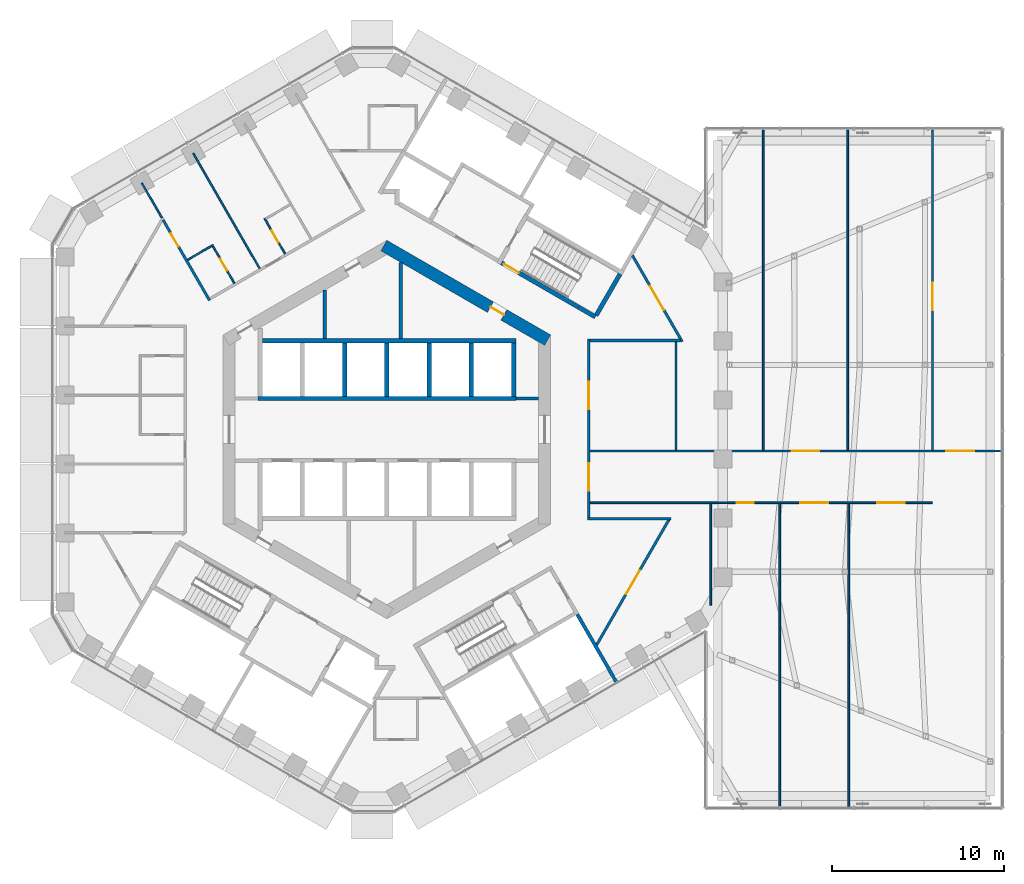
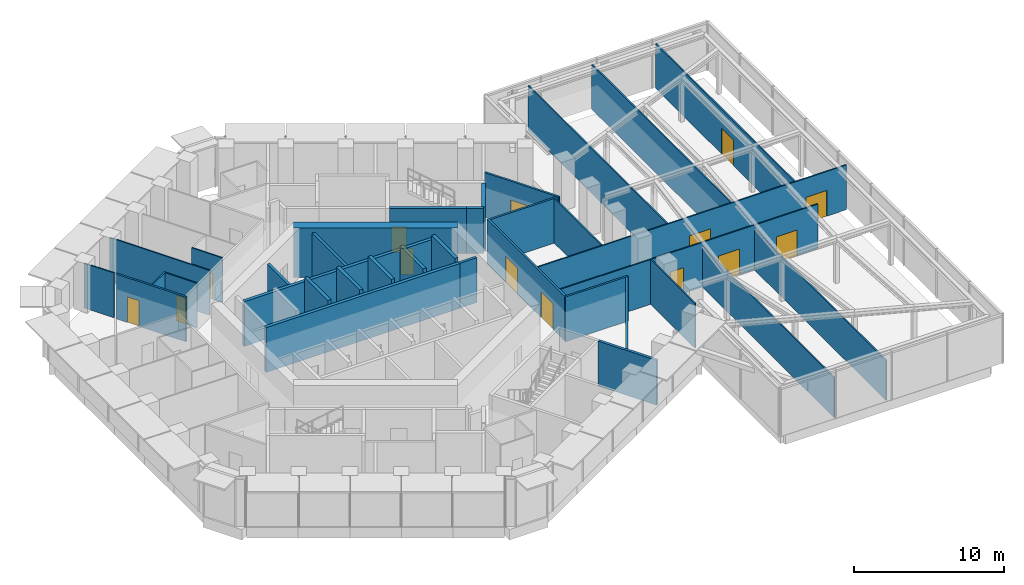
# One storey, part 18 of 24: 35 walls, 15 doors, 15 openings.
"""IFC4 building model written with IfcOpenShell, lengths in metres."""

from ifc_helpers import new_model, si_unit, direction, frame, frame_2d, origin, place, context, subcontext, project, spatial, rectangle, extrude, material, layer, layer_set, type_object, element, fill, save


model = new_model("IFC4")

# Units and contexts
model_context = context("Model", 3, precision=1e-05, world=origin(), true_north=direction((0.0, 1.0)))
body_context = subcontext(model_context, "Body", "Model", "MODEL_VIEW")
ifc_project = project(units=[si_unit("LENGTHUNIT", "METRE"), si_unit("AREAUNIT", "SQUARE_METRE"), si_unit("VOLUMEUNIT", "CUBIC_METRE"), si_unit("PLANEANGLEUNIT", "RADIAN"), si_unit("MASSUNIT", "GRAM", prefix="KILO")], contexts=[model_context])

# Site, building, storey
site_placement = place(None, origin())
site = spatial("IfcSite", under=ifc_project, at=site_placement, CompositionType="ELEMENT")
building_placement = place(site_placement, origin())
building = spatial("IfcBuilding", under=site, at=building_placement, Name="Ayvan Gate Tower", CompositionType="ELEMENT")
storey_placement = place(building_placement, frame((0.0, 0.0, 128.5)))
storey = spatial("IfcBuildingStorey", under=building, at=storey_placement, Name="L34", CompositionType="ELEMENT", Elevation=128.5)

# Wall, opening, door
ifc_material_1 = material(Name="Concrete C70/85", Category="concrete")
ifc_layer_1 = layer(ifc_material_1, 0.699951171875)
ifc_layer_set_1 = layer_set([ifc_layer_1], Name="Concrete C70/85")
wall_type_1 = type_object("IfcWallType", Name="Core wall 700 C70/85", PredefinedType="SHEAR", material=ifc_layer_set_1)
wall_1_placement = place(storey_placement, frame((9.324951171875, 5.181640625, 0.0), z_axis=(0.0, 0.0, 1.0), x_axis=(-0.866023993627, 0.500002442456, 0.0)))
wall_1 = element("IfcWall", 1, at=wall_1_placement, inside=storey, type_object=wall_type_1, Name="CORE-L34-1", PredefinedType="SHEAR", context=body_context, shape_type="SweptSolid", body=[
    extrude(rectangle(XDim=10.9697265625, YDim=0.699951171875, at=frame_2d((5.48486328125, 0.0))), origin(), (0.0, 0.0, 1.0), 4.0),
])
opening_1_placement = place(wall_1_placement, frame((2.9326171875, 0.0, 0.0)))
opening_1 = element("IfcOpeningElement", 2, at=opening_1_placement, cuts=wall_1, Name="Opening L34-D45", PredefinedType="OPENING", context=body_context, shape_type="SweptSolid", body=[
    extrude(rectangle(XDim=0.89990234375, YDim=2.10009765625, at=frame_2d((0.449951171875, 1.050048828125))), frame((0.0, 0.35986328125, 0.0), z_axis=(0.0, -1.0, 0.0), x_axis=(1.0, 0.0, 0.0)), (0.0, 0.0, 1.0), 0.719970703125),
])
ifc_material_2 = material(Name="Timber door leaf", Category="wood")
door_type_1 = type_object("IfcDoorType", Name="DT-900", OperationType="NOTDEFINED", PredefinedType="DOOR", material=ifc_material_2)
door_1_placement = place(opening_1_placement, origin())
door_1 = element("IfcDoor", 3, at=door_1_placement, inside=storey, type_object=door_type_1, Name="CD-L34-45", OperationType="SINGLE_SWING_LEFT", OverallHeight=2.10009765625, OverallWidth=0.89990234375, PredefinedType="DOOR", context=body_context, shape_type="SweptSolid", body=[
    extrude(rectangle(XDim=0.89990234375, YDim=2.10009765625, at=frame_2d((0.449951171875, 1.050048828125))), frame((0.0, 0.02490234375, 0.0), z_axis=(0.0, -1.0, 0.0), x_axis=(1.0, 0.0, 0.0)), (0.0, 0.0, 1.0), 0.050048828125),
])
fill(opening_1, door_1)

ifc_material_3 = material(Name="Plasterboard on steel stud", Category="steel")
ifc_layer_2 = layer(ifc_material_3, 0.14990234375)
ifc_layer_set_2 = layer_set([ifc_layer_2], Name="Plasterboard on steel stud")
wall_type_2 = type_object("IfcWallType", Name="WT-CORR-150", PredefinedType="PARTITIONING", material=ifc_layer_set_2)
wall_2_placement = place(storey_placement, frame((-12.97607421875, 12.151611328125, 0.0), z_axis=(0.0, 0.0, 1.0), x_axis=(0.500019321912, -0.866014247986, 0.0)))
wall_2 = element("IfcWall", 4, at=wall_2_placement, inside=storey, type_object=wall_type_2, Name="IW-L34-011", PredefinedType="PARTITIONING", context=body_context, shape_type="SweptSolid", body=[
    extrude(rectangle(XDim=5.386474609375, YDim=0.14990234375, at=frame_2d((2.693359375, 0.0))), origin(), (0.0, 0.0, 1.0), 3.64990234375),
])
opening_2_placement = place(wall_2_placement, frame((0.890869140625, 0.0, 0.0)))
opening_2 = element("IfcOpeningElement", 5, at=opening_2_placement, cuts=wall_2, Name="Opening L34-D31", PredefinedType="OPENING", context=body_context, shape_type="SweptSolid", body=[
    extrude(rectangle(XDim=0.89990234375, YDim=2.10009765625, at=frame_2d((0.449951171875, 1.050048828125))), frame((0.0, 0.0849609375, 0.0), z_axis=(0.0, -1.0, 0.0), x_axis=(1.0, 0.0, 0.0)), (0.0, 0.0, 1.0), 0.169921875),
])
door_2_placement = place(opening_2_placement, origin())
door_2 = element("IfcDoor", 6, at=door_2_placement, inside=storey, type_object=door_type_1, Name="ID-L34-031", OperationType="SINGLE_SWING_LEFT", OverallHeight=2.10009765625, OverallWidth=0.89990234375, PredefinedType="DOOR", context=body_context, shape_type="SweptSolid", body=[
    extrude(rectangle(XDim=0.89990234375, YDim=2.10009765625, at=frame_2d((0.449951171875, 1.050048828125))), frame((0.0, 0.02490234375, 0.0), z_axis=(0.0, -1.0, 0.0), x_axis=(1.0, 0.0, 0.0)), (0.0, 0.0, 1.0), 0.050048828125),
])
fill(opening_2, door_2)

# Wall
wall_3_placement = place(storey_placement, frame((11.625, -5.16162109375, 0.0), z_axis=(0.0, 0.0, 1.0), x_axis=(1.0, 0.0, 0.0)))
element("IfcWall", 7, at=wall_3_placement, inside=storey, type_object=wall_type_2, Name="IW-L34-101", PredefinedType="PARTITIONING", context=body_context, shape_type="SweptSolid", body=[
    extrude(rectangle(XDim=4.843994140625, YDim=0.14990234375, at=frame_2d((2.421875, 0.0))), origin(), (0.0, 0.0, 1.0), 3.64990234375),
])

# Wall, openings, doors
wall_4_placement = place(storey_placement, frame((11.699951171875, -5.086669921875, 0.0), z_axis=(0.0, 0.0, 1.0), x_axis=(0.0, 1.0, 0.0)))
wall_4 = element("IfcWall", 8, at=wall_4_placement, inside=storey, type_object=wall_type_2, Name="IW-L34-102", PredefinedType="PARTITIONING", context=body_context, shape_type="SweptSolid", body=[
    extrude(rectangle(XDim=10.323486328125, YDim=0.14990234375, at=frame_2d((5.16162109375, 0.0))), origin(), (0.0, 0.0, 1.0), 3.64990234375),
])
opening_3_placement = place(wall_4_placement, frame((1.545166015625, 0.0, 0.0)))
opening_3 = element("IfcOpeningElement", 9, at=opening_3_placement, cuts=wall_4, Name="Opening L34-D33", PredefinedType="OPENING", context=body_context, shape_type="SweptSolid", body=[
    extrude(rectangle(XDim=1.60009765625, YDim=2.10009765625, at=frame_2d((0.800048828125, 1.050048828125))), frame((0.0, 0.0849609375, 0.0), z_axis=(0.0, -1.0, 0.0), x_axis=(1.0, 0.0, 0.0)), (0.0, 0.0, 1.0), 0.169921875),
])
opening_4_placement = place(wall_4_placement, frame((6.26171875, 0.0, 0.0)))
opening_4 = element("IfcOpeningElement", 10, at=opening_4_placement, cuts=wall_4, Name="Opening L34-D35", PredefinedType="OPENING", context=body_context, shape_type="SweptSolid", body=[
    extrude(rectangle(XDim=1.60009765625, YDim=2.10009765625, at=frame_2d((0.800048828125, 1.050048828125))), frame((0.0, 0.0849609375, 0.0), z_axis=(0.0, -1.0, 0.0), x_axis=(1.0, 0.0, 0.0)), (0.0, 0.0, 1.0), 0.169921875),
])
door_type_2 = type_object("IfcDoorType", Name="DT-1600", OperationType="NOTDEFINED", PredefinedType="DOOR", material=ifc_material_2)
door_3_placement = place(opening_3_placement, origin())
door_3 = element("IfcDoor", 11, at=door_3_placement, inside=storey, type_object=door_type_2, Name="ID-L34-033", OperationType="SINGLE_SWING_LEFT", OverallHeight=2.10009765625, OverallWidth=1.60009765625, PredefinedType="DOOR", context=body_context, shape_type="SweptSolid", body=[
    extrude(rectangle(XDim=1.60009765625, YDim=2.10009765625, at=frame_2d((0.800048828125, 1.050048828125))), frame((0.0, 0.02490234375, 0.0), z_axis=(0.0, -1.0, 0.0), x_axis=(1.0, 0.0, 0.0)), (0.0, 0.0, 1.0), 0.050048828125),
])
fill(opening_3, door_3)
door_4_placement = place(opening_4_placement, origin())
door_4 = element("IfcDoor", 12, at=door_4_placement, inside=storey, type_object=door_type_2, Name="ID-L34-035", OperationType="SINGLE_SWING_LEFT", OverallHeight=2.10009765625, OverallWidth=1.60009765625, PredefinedType="DOOR", context=body_context, shape_type="SweptSolid", body=[
    extrude(rectangle(XDim=1.60009765625, YDim=2.10009765625, at=frame_2d((0.800048828125, 1.050048828125))), frame((0.0, 0.02490234375, 0.0), z_axis=(0.0, -1.0, 0.0), x_axis=(1.0, 0.0, 0.0)), (0.0, 0.0, 1.0), 0.050048828125),
])
fill(opening_4, door_4)

# Wall, opening, door
wall_5_placement = place(storey_placement, frame((14.240234375, 10.091796875, 0.0), z_axis=(0.0, 0.0, 1.0), x_axis=(0.500013126474, -0.866017825079, 0.0)))
wall_5 = element("IfcWall", 13, at=wall_5_placement, inside=storey, type_object=wall_type_2, Name="IW-L34-107", PredefinedType="PARTITIONING", context=body_context, shape_type="SweptSolid", body=[
    extrude(rectangle(XDim=5.767822265625, YDim=0.14990234375, at=frame_2d((2.8837890625, 0.0))), origin(), (0.0, 0.0, 1.0), 3.64990234375),
])
opening_5_placement = place(wall_5_placement, frame((2.04638671875, 0.0, 0.0)))
opening_5 = element("IfcOpeningElement", 14, at=opening_5_placement, cuts=wall_5, Name="Opening L34-D36", PredefinedType="OPENING", context=body_context, shape_type="SweptSolid", body=[
    extrude(rectangle(XDim=1.60009765625, YDim=2.10009765625, at=frame_2d((0.800048828125, 1.050048828125))), frame((0.0, 0.0849609375, 0.0), z_axis=(0.0, -1.0, 0.0), x_axis=(1.0, 0.0, 0.0)), (0.0, 0.0, 1.0), 0.169921875),
])
door_5_placement = place(opening_5_placement, origin())
door_5 = element("IfcDoor", 15, at=door_5_placement, inside=storey, type_object=door_type_2, Name="ID-L34-036", OperationType="SINGLE_SWING_RIGHT", OverallHeight=2.10009765625, OverallWidth=1.60009765625, PredefinedType="DOOR", context=body_context, shape_type="SweptSolid", body=[
    extrude(rectangle(XDim=1.60009765625, YDim=2.10009765625, at=frame_2d((0.800048828125, 1.050048828125))), frame((0.0, 0.02490234375, 0.0), z_axis=(0.0, -1.0, 0.0), x_axis=(1.0, 0.0, 0.0)), (0.0, 0.0, 1.0), 0.050048828125),
])
fill(opening_5, door_5)

wall_6_placement = place(storey_placement, frame((16.3564453125, -5.226806640625, 0.0), z_axis=(0.0, 0.0, 1.0), x_axis=(-0.500017200592, -0.86601547279, 0.0)))
wall_6 = element("IfcWall", 16, at=wall_6_placement, inside=storey, type_object=wall_type_2, Name="IW-L34-108", PredefinedType="PARTITIONING", context=body_context, shape_type="SweptSolid", body=[
    extrude(rectangle(XDim=8.388916015625, YDim=0.14990234375, at=frame_2d((4.1943359375, 0.0))), origin(), (0.0, 0.0, 1.0), 3.64990234375),
])
opening_6_placement = place(wall_6_placement, frame((3.39453125, 0.0, 0.0)))
opening_6 = element("IfcOpeningElement", 17, at=opening_6_placement, cuts=wall_6, Name="Opening L34-D39", PredefinedType="OPENING", context=body_context, shape_type="SweptSolid", body=[
    extrude(rectangle(XDim=1.60009765625, YDim=2.10009765625, at=frame_2d((0.800048828125, 1.050048828125))), frame((0.0, 0.0849609375, 0.0), z_axis=(0.0, -1.0, 0.0), x_axis=(1.0, 0.0, 0.0)), (0.0, 0.0, 1.0), 0.169921875),
])
door_6_placement = place(opening_6_placement, origin())
door_6 = element("IfcDoor", 18, at=door_6_placement, inside=storey, type_object=door_type_2, Name="ID-L34-039", OperationType="SINGLE_SWING_LEFT", OverallHeight=2.10009765625, OverallWidth=1.60009765625, PredefinedType="DOOR", context=body_context, shape_type="SweptSolid", body=[
    extrude(rectangle(XDim=1.60009765625, YDim=2.10009765625, at=frame_2d((0.800048828125, 1.050048828125))), frame((0.0, 0.02490234375, 0.0), z_axis=(0.0, -1.0, 0.0), x_axis=(1.0, 0.0, 0.0)), (0.0, 0.0, 1.0), 0.050048828125),
])
fill(opening_6, door_6)

# Walls
wall_7_placement = place(storey_placement, frame((11.77490234375, 5.16162109375, 0.0), z_axis=(0.0, 0.0, 1.0), x_axis=(1.0, 0.0, 0.0)))
element("IfcWall", 19, at=wall_7_placement, inside=storey, type_object=wall_type_2, Name="IW-L34-110", PredefinedType="PARTITIONING", context=body_context, shape_type="SweptSolid", body=[
    extrude(rectangle(XDim=5.23681640625, YDim=0.14990234375, at=frame_2d((2.618408203125, 0.0))), origin(), (0.0, 0.0, 1.0), 3.64990234375),
])
ifc_layer_3 = layer(ifc_material_3, 0.10009765625)
ifc_layer_set_3 = layer_set([ifc_layer_3], Name="Plasterboard on steel stud")
wall_type_3 = type_object("IfcWallType", Name="WT-PART-100", PredefinedType="PARTITIONING", material=ifc_layer_set_3)
wall_8_placement = place(storey_placement, frame((-14.212890625, 14.294189453125, 0.0), z_axis=(0.0, 0.0, 1.0), x_axis=(0.499946767237, -0.866056135553, 0.0)))
element("IfcWall", 20, at=wall_8_placement, inside=storey, type_object=wall_type_3, Name="IW-L34-008", PredefinedType="PARTITIONING", context=body_context, shape_type="SweptSolid", body=[
    extrude(rectangle(XDim=2.323974609375, YDim=0.10009765625, at=frame_2d((1.162109375, 0.0))), origin(), (0.0, 0.0, 1.0), 3.64990234375),
])
wall_9_placement = place(storey_placement, frame((-10.069091796875, 10.698974609375, 0.0), z_axis=(0.0, 0.0, 1.0), x_axis=(-0.865984193376, -0.500071371729, 0.0)))
element("IfcWall", 21, at=wall_9_placement, inside=storey, type_object=wall_type_3, Name="IW-L34-019", PredefinedType="PARTITIONING", context=body_context, shape_type="SweptSolid", body=[
    extrude(rectangle(XDim=1.716064453125, YDim=0.10009765625, at=frame_2d((0.85791015625, 0.0))), origin(), (0.0, 0.0, 1.0), 3.64990234375),
])

# Wall, opening, door
wall_10_placement = place(storey_placement, frame((-8.849853515625, 8.4873046875, 0.0), z_axis=(0.0, 0.0, 1.0), x_axis=(-0.500032699561, 0.866006523861, 0.0)))
wall_10 = element("IfcWall", 22, at=wall_10_placement, inside=storey, type_object=wall_type_3, Name="IW-L34-020", PredefinedType="PARTITIONING", context=body_context, shape_type="SweptSolid", body=[
    extrude(rectangle(XDim=2.474853515625, YDim=0.10009765625, at=frame_2d((1.2373046875, 0.0))), origin(), (0.0, 0.0, 1.0), 3.64990234375),
])
opening_7_placement = place(wall_10_placement, frame((0.83740234375, 0.0, 0.0)))
opening_7 = element("IfcOpeningElement", 23, at=opening_7_placement, cuts=wall_10, Name="Opening L34-D32", PredefinedType="OPENING", context=body_context, shape_type="SweptSolid", body=[
    extrude(rectangle(XDim=0.800048828125, YDim=2.10009765625, at=frame_2d((0.39990234375, 1.050048828125))), frame((0.0, 0.06005859375, 0.0), z_axis=(0.0, -1.0, 0.0), x_axis=(1.0, 0.0, 0.0)), (0.0, 0.0, 1.0), 0.1201171875),
])
door_type_3 = type_object("IfcDoorType", Name="DT-800", OperationType="NOTDEFINED", PredefinedType="DOOR", material=ifc_material_2)
door_7_placement = place(opening_7_placement, origin())
door_7 = element("IfcDoor", 24, at=door_7_placement, inside=storey, type_object=door_type_3, Name="ID-L34-032", OperationType="SINGLE_SWING_RIGHT", OverallHeight=2.10009765625, OverallWidth=0.800048828125, PredefinedType="DOOR", context=body_context, shape_type="SweptSolid", body=[
    extrude(rectangle(XDim=0.800048828125, YDim=2.10009765625, at=frame_2d((0.39990234375, 1.050048828125))), frame((0.0, 0.02490234375, 0.0), z_axis=(0.0, -1.0, 0.0), x_axis=(1.0, 0.0, 0.0)), (0.0, 0.0, 1.0), 0.050048828125),
])
fill(opening_7, door_7)

# Wall
wall_11_placement = place(storey_placement, frame((-7.377685546875, 9.337158203125, 0.0), z_axis=(0.0, 0.0, 1.0), x_axis=(-0.499997453958, 0.866026873738, 0.0)))
element("IfcWall", 25, at=wall_11_placement, inside=storey, type_object=wall_type_3, Name="IW-L34-031", PredefinedType="PARTITIONING", context=body_context, shape_type="SweptSolid", body=[
    extrude(rectangle(XDim=7.71044921875, YDim=0.10009765625, at=frame_2d((3.855224609375, 0.0))), origin(), (0.0, 0.0, 1.0), 3.64990234375),
])

# Wall, opening, door
wall_12_placement = place(storey_placement, frame((-7.0927734375, 12.243896484375, 0.0), z_axis=(0.0, 0.0, 1.0), x_axis=(0.500030943131, -0.866007538022, 0.0)))
wall_12 = element("IfcWall", 26, at=wall_12_placement, inside=storey, type_object=wall_type_3, Name="IW-L34-032", PredefinedType="PARTITIONING", context=body_context, shape_type="SweptSolid", body=[
    extrude(rectangle(XDim=2.374755859375, YDim=0.10009765625, at=frame_2d((1.1875, 0.0))), origin(), (0.0, 0.0, 1.0), 3.64990234375),
])
opening_8_placement = place(wall_12_placement, frame((0.8125, 0.0, 0.0)))
opening_8 = element("IfcOpeningElement", 27, at=opening_8_placement, cuts=wall_12, Name="Opening L34-D30", PredefinedType="OPENING", context=body_context, shape_type="SweptSolid", body=[
    extrude(rectangle(XDim=0.800048828125, YDim=2.10009765625, at=frame_2d((0.39990234375, 1.050048828125))), frame((0.0, 0.06005859375, 0.0), z_axis=(0.0, -1.0, 0.0), x_axis=(1.0, 0.0, 0.0)), (0.0, 0.0, 1.0), 0.1201171875),
])
door_8_placement = place(opening_8_placement, origin())
door_8 = element("IfcDoor", 28, at=door_8_placement, inside=storey, type_object=door_type_3, Name="ID-L34-030", OperationType="SINGLE_SWING_RIGHT", OverallHeight=2.10009765625, OverallWidth=0.800048828125, PredefinedType="DOOR", context=body_context, shape_type="SweptSolid", body=[
    extrude(rectangle(XDim=0.800048828125, YDim=2.10009765625, at=frame_2d((0.39990234375, 1.050048828125))), frame((0.0, 0.02490234375, 0.0), z_axis=(0.0, -1.0, 0.0), x_axis=(1.0, 0.0, 0.0)), (0.0, 0.0, 1.0), 0.050048828125),
])
fill(opening_8, door_8)

# Wall, openings, doors
wall_13_placement = place(storey_placement, frame((11.77490234375, -1.24169921875, 0.0), z_axis=(0.0, 0.0, 1.0), x_axis=(1.0, 0.0, 0.0)))
wall_13 = element("IfcWall", 29, at=wall_13_placement, inside=storey, type_object=wall_type_3, Name="IW-L34-103", PredefinedType="PARTITIONING", context=body_context, shape_type="SweptSolid", body=[
    extrude(rectangle(XDim=23.806640625, YDim=0.10009765625, at=frame_2d((11.9033203125, 0.0))), origin(), (0.0, 0.0, 1.0), 3.64990234375),
])
opening_9_placement = place(wall_13_placement, frame((20.675537109375, 0.0, 0.0)))
opening_9 = element("IfcOpeningElement", 30, at=opening_9_placement, cuts=wall_13, Name="Opening L34-D34", PredefinedType="OPENING", context=body_context, shape_type="SweptSolid", body=[
    extrude(rectangle(XDim=1.60009765625, YDim=2.10009765625, at=frame_2d((0.800048828125, 1.050048828125))), frame((0.0, 0.06005859375, 0.0), z_axis=(0.0, -1.0, 0.0), x_axis=(1.0, 0.0, 0.0)), (0.0, 0.0, 1.0), 0.1201171875),
])
opening_10_placement = place(wall_13_placement, frame((11.699951171875, 0.0, 0.0)))
opening_10 = element("IfcOpeningElement", 31, at=opening_10_placement, cuts=wall_13, Name="Opening L34-D37", PredefinedType="OPENING", context=body_context, shape_type="SweptSolid", body=[
    extrude(rectangle(XDim=1.60009765625, YDim=2.10009765625, at=frame_2d((0.800048828125, 1.050048828125))), frame((0.0, 0.06005859375, 0.0), z_axis=(0.0, -1.0, 0.0), x_axis=(1.0, 0.0, 0.0)), (0.0, 0.0, 1.0), 0.1201171875),
])
door_9_placement = place(opening_9_placement, origin())
door_9 = element("IfcDoor", 32, at=door_9_placement, inside=storey, type_object=door_type_2, Name="ID-L34-034", OperationType="SINGLE_SWING_RIGHT", OverallHeight=2.10009765625, OverallWidth=1.60009765625, PredefinedType="DOOR", context=body_context, shape_type="SweptSolid", body=[
    extrude(rectangle(XDim=1.60009765625, YDim=2.10009765625, at=frame_2d((0.800048828125, 1.050048828125))), frame((0.0, 0.02490234375, 0.0), z_axis=(0.0, -1.0, 0.0), x_axis=(1.0, 0.0, 0.0)), (0.0, 0.0, 1.0), 0.050048828125),
])
fill(opening_9, door_9)
door_10_placement = place(opening_10_placement, origin())
door_10 = element("IfcDoor", 33, at=door_10_placement, inside=storey, type_object=door_type_2, Name="ID-L34-037", OperationType="SINGLE_SWING_LEFT", OverallHeight=2.10009765625, OverallWidth=1.60009765625, PredefinedType="DOOR", context=body_context, shape_type="SweptSolid", body=[
    extrude(rectangle(XDim=1.60009765625, YDim=2.10009765625, at=frame_2d((0.800048828125, 1.050048828125))), frame((0.0, 0.02490234375, 0.0), z_axis=(0.0, -1.0, 0.0), x_axis=(1.0, 0.0, 0.0)), (0.0, 0.0, 1.0), 0.050048828125),
])
fill(opening_10, door_10)

# Walls
wall_14_placement = place(storey_placement, frame((16.760498046875, 5.086669921875, 0.0), z_axis=(0.0, 0.0, 1.0), x_axis=(0.0, -1.0, 0.0)))
element("IfcWall", 34, at=wall_14_placement, inside=storey, type_object=wall_type_3, Name="IW-L34-109", PredefinedType="PARTITIONING", context=body_context, shape_type="SweptSolid", body=[
    extrude(rectangle(XDim=6.2783203125, YDim=0.10009765625, at=frame_2d((3.13916015625, 0.0))), origin(), (0.0, 0.0, 1.0), 3.64990234375),
])
wall_15_placement = place(storey_placement, frame((18.775634765625, -4.29150390625, 0.0), z_axis=(0.0, 0.0, 1.0), x_axis=(0.0, -1.0, 0.0)))
element("IfcWall", 35, at=wall_15_placement, inside=storey, type_object=wall_type_3, Name="IW-L34-111", PredefinedType="PARTITIONING", context=body_context, shape_type="SweptSolid", body=[
    extrude(rectangle(XDim=5.9072265625, YDim=0.10009765625, at=frame_2d((2.95361328125, 0.0))), origin(), (0.0, 0.0, 1.0), 3.64990234375),
])

# Wall, openings, doors
wall_16_placement = place(storey_placement, frame((11.77490234375, -4.24169921875, 0.0), z_axis=(0.0, 0.0, 1.0), x_axis=(1.0, 0.0, 0.0)))
wall_16 = element("IfcWall", 36, at=wall_16_placement, inside=storey, type_object=wall_type_3, Name="IW-L34-112", PredefinedType="PARTITIONING", context=body_context, shape_type="SweptSolid", body=[
    extrude(rectangle(XDim=19.86083984375, YDim=0.10009765625, at=frame_2d((9.930419921875, 0.0))), origin(), (0.0, 0.0, 1.0), 3.64990234375),
])
opening_11_placement = place(wall_16_placement, frame((8.502197265625, 0.0, 0.0)))
opening_11 = element("IfcOpeningElement", 37, at=opening_11_placement, cuts=wall_16, Name="Opening L34-D40", PredefinedType="OPENING", context=body_context, shape_type="SweptSolid", body=[
    extrude(rectangle(XDim=1.0, YDim=2.10009765625, at=frame_2d((0.5, 1.050048828125))), frame((0.0, 0.06005859375, 0.0), z_axis=(0.0, -1.0, 0.0), x_axis=(1.0, 0.0, 0.0)), (0.0, 0.0, 1.0), 0.1201171875),
])
opening_12_placement = place(wall_16_placement, frame((12.205078125, 0.0, 0.0)))
opening_12 = element("IfcOpeningElement", 38, at=opening_12_placement, cuts=wall_16, Name="Opening L34-D41", PredefinedType="OPENING", context=body_context, shape_type="SweptSolid", body=[
    extrude(rectangle(XDim=1.60009765625, YDim=2.10009765625, at=frame_2d((0.800048828125, 1.050048828125))), frame((0.0, 0.06005859375, 0.0), z_axis=(0.0, -1.0, 0.0), x_axis=(1.0, 0.0, 0.0)), (0.0, 0.0, 1.0), 0.1201171875),
])
opening_13_placement = place(wall_16_placement, frame((16.6484375, 0.0, 0.0)))
opening_13 = element("IfcOpeningElement", 39, at=opening_13_placement, cuts=wall_16, Name="Opening L34-D42", PredefinedType="OPENING", context=body_context, shape_type="SweptSolid", body=[
    extrude(rectangle(XDim=1.60009765625, YDim=2.10009765625, at=frame_2d((0.800048828125, 1.050048828125))), frame((0.0, 0.06005859375, 0.0), z_axis=(0.0, -1.0, 0.0), x_axis=(1.0, 0.0, 0.0)), (0.0, 0.0, 1.0), 0.1201171875),
])
door_type_4 = type_object("IfcDoorType", Name="DT-1000", OperationType="NOTDEFINED", PredefinedType="DOOR", material=ifc_material_2)
door_11_placement = place(opening_11_placement, origin())
door_11 = element("IfcDoor", 40, at=door_11_placement, inside=storey, type_object=door_type_4, Name="ID-L34-040", OperationType="SINGLE_SWING_RIGHT", OverallHeight=2.10009765625, OverallWidth=1.0, PredefinedType="DOOR", context=body_context, shape_type="SweptSolid", body=[
    extrude(rectangle(XDim=1.0, YDim=2.10009765625, at=frame_2d((0.5, 1.050048828125))), frame((0.0, 0.02490234375, 0.0), z_axis=(0.0, -1.0, 0.0), x_axis=(1.0, 0.0, 0.0)), (0.0, 0.0, 1.0), 0.050048828125),
])
fill(opening_11, door_11)
door_12_placement = place(opening_12_placement, origin())
door_12 = element("IfcDoor", 41, at=door_12_placement, inside=storey, type_object=door_type_2, Name="ID-L34-041", OperationType="SINGLE_SWING_LEFT", OverallHeight=2.10009765625, OverallWidth=1.60009765625, PredefinedType="DOOR", context=body_context, shape_type="SweptSolid", body=[
    extrude(rectangle(XDim=1.60009765625, YDim=2.10009765625, at=frame_2d((0.800048828125, 1.050048828125))), frame((0.0, 0.02490234375, 0.0), z_axis=(0.0, -1.0, 0.0), x_axis=(1.0, 0.0, 0.0)), (0.0, 0.0, 1.0), 0.050048828125),
])
fill(opening_12, door_12)
door_13_placement = place(opening_13_placement, origin())
door_13 = element("IfcDoor", 42, at=door_13_placement, inside=storey, type_object=door_type_2, Name="ID-L34-042", OperationType="SINGLE_SWING_RIGHT", OverallHeight=2.10009765625, OverallWidth=1.60009765625, PredefinedType="DOOR", context=body_context, shape_type="SweptSolid", body=[
    extrude(rectangle(XDim=1.60009765625, YDim=2.10009765625, at=frame_2d((0.800048828125, 1.050048828125))), frame((0.0, 0.02490234375, 0.0), z_axis=(0.0, -1.0, 0.0), x_axis=(1.0, 0.0, 0.0)), (0.0, 0.0, 1.0), 0.050048828125),
])
fill(opening_13, door_13)

# Walls
wall_17_placement = place(storey_placement, frame((21.8212890625, 17.345947265625, 0.0), z_axis=(0.0, 0.0, 1.0), x_axis=(0.0, -1.0, 0.0)))
element("IfcWall", 43, at=wall_17_placement, inside=storey, type_object=wall_type_3, Name="IW-L34-113", PredefinedType="PARTITIONING", context=body_context, shape_type="SweptSolid", body=[
    extrude(rectangle(XDim=18.53759765625, YDim=0.10009765625, at=frame_2d((9.268798828125, 0.0))), origin(), (0.0, 0.0, 1.0), 3.64990234375),
])
wall_18_placement = place(storey_placement, frame((22.778564453125, -4.29150390625, 0.0), z_axis=(0.0, 0.0, 1.0), x_axis=(0.0, -1.0, 0.0)))
element("IfcWall", 44, at=wall_18_placement, inside=storey, type_object=wall_type_3, Name="IW-L34-114", PredefinedType="PARTITIONING", context=body_context, shape_type="SweptSolid", body=[
    extrude(rectangle(XDim=17.554443359375, YDim=0.10009765625, at=frame_2d((8.77734375, 0.0))), origin(), (0.0, 0.0, 1.0), 3.27490234375),
])
wall_19_placement = place(storey_placement, frame((26.728515625, 17.345947265625, 0.0), z_axis=(0.0, 0.0, 1.0), x_axis=(0.0, -1.0, 0.0)))
element("IfcWall", 45, at=wall_19_placement, inside=storey, type_object=wall_type_3, Name="IW-L34-115", PredefinedType="PARTITIONING", context=body_context, shape_type="SweptSolid", body=[
    extrude(rectangle(XDim=18.53759765625, YDim=0.10009765625, at=frame_2d((9.268798828125, 0.0))), origin(), (0.0, 0.0, 1.0), 3.64990234375),
])
wall_20_placement = place(storey_placement, frame((26.781494140625, -4.29150390625, 0.0), z_axis=(0.0, 0.0, 1.0), x_axis=(0.0, -1.0, 0.0)))
element("IfcWall", 46, at=wall_20_placement, inside=storey, type_object=wall_type_3, Name="IW-L34-116", PredefinedType="PARTITIONING", context=body_context, shape_type="SweptSolid", body=[
    extrude(rectangle(XDim=17.554443359375, YDim=0.10009765625, at=frame_2d((8.77734375, 0.0))), origin(), (0.0, 0.0, 1.0), 3.27490234375),
])

# Wall, opening, door
wall_21_placement = place(storey_placement, frame((31.635498046875, -1.191650390625, 0.0), z_axis=(0.0, 0.0, 1.0), x_axis=(0.0, 1.0, 0.0)))
wall_21 = element("IfcWall", 47, at=wall_21_placement, inside=storey, type_object=wall_type_3, Name="IW-L34-117", PredefinedType="PARTITIONING", context=body_context, shape_type="SweptSolid", body=[
    extrude(rectangle(XDim=18.53759765625, YDim=0.10009765625, at=frame_2d((9.268798828125, 0.0))), origin(), (0.0, 0.0, 1.0), 3.64990234375),
])
opening_14_placement = place(wall_21_placement, frame((8.095703125, 0.0, 0.0)))
opening_14 = element("IfcOpeningElement", 48, at=opening_14_placement, cuts=wall_21, Name="Opening L34-D38", PredefinedType="OPENING", context=body_context, shape_type="SweptSolid", body=[
    extrude(rectangle(XDim=1.60009765625, YDim=2.10009765625, at=frame_2d((0.800048828125, 1.050048828125))), frame((0.0, 0.06005859375, 0.0), z_axis=(0.0, -1.0, 0.0), x_axis=(1.0, 0.0, 0.0)), (0.0, 0.0, 1.0), 0.1201171875),
])
door_14_placement = place(opening_14_placement, origin())
door_14 = element("IfcDoor", 49, at=door_14_placement, inside=storey, type_object=door_type_2, Name="ID-L34-038", OperationType="SINGLE_SWING_RIGHT", OverallHeight=2.10009765625, OverallWidth=1.60009765625, PredefinedType="DOOR", context=body_context, shape_type="SweptSolid", body=[
    extrude(rectangle(XDim=1.60009765625, YDim=2.10009765625, at=frame_2d((0.800048828125, 1.050048828125))), frame((0.0, 0.02490234375, 0.0), z_axis=(0.0, -1.0, 0.0), x_axis=(1.0, 0.0, 0.0)), (0.0, 0.0, 1.0), 0.050048828125),
])
fill(opening_14, door_14)

# Walls
ifc_layer_4 = layer(ifc_material_3, 0.199951171875)
ifc_layer_set_4 = layer_set([ifc_layer_4], Name="Plasterboard on steel stud")
wall_type_4 = type_object("IfcWallType", Name="WT-PLUMB-200", PredefinedType="PLUMBINGWALL", material=ifc_layer_set_4)
wall_22_placement = place(storey_placement, frame((11.037353515625, -10.71728515625, 0.0), z_axis=(0.0, 0.0, 1.0), x_axis=(0.500011188759, -0.866018943855, 0.0)))
element("IfcWall", 50, at=wall_22_placement, inside=storey, type_object=wall_type_4, Name="IW-L34-099", PredefinedType="PLUMBINGWALL", context=body_context, shape_type="SweptSolid", body=[
    extrude(rectangle(XDim=4.4892578125, YDim=0.199951171875, at=frame_2d((2.24462890625, 0.0))), origin(), (0.0, 0.0, 1.0), 3.64990234375),
])
ifc_layer_5 = layer(ifc_material_3, 0.199951171875)
ifc_layer_set_5 = layer_set([ifc_layer_5], Name="Plasterboard on steel stud")
wall_type_5 = type_object("IfcWallType", Name="WT-RATED-200", PredefinedType="PARTITIONING", material=ifc_layer_set_5)
wall_23_placement = place(storey_placement, frame((-3.60009765625, 8.0830078125, 0.0), z_axis=(0.0, 0.0, 1.0), x_axis=(0.0, -1.0, 0.0)))
element("IfcWall", 51, at=wall_23_placement, inside=storey, type_object=wall_type_5, Name="IW-L34-042", PredefinedType="PARTITIONING", context=body_context, shape_type="SweptSolid", body=[
    extrude(rectangle(XDim=2.80810546875, YDim=0.199951171875, at=frame_2d((1.404052734375, 0.0))), origin(), (0.0, 0.0, 1.0), 3.64990234375),
])
wall_24_placement = place(storey_placement, frame((0.800048828125, 9.699462890625, 0.0), z_axis=(0.0, 0.0, 1.0), x_axis=(0.0, -1.0, 0.0)))
element("IfcWall", 52, at=wall_24_placement, inside=storey, type_object=wall_type_5, Name="IW-L34-065", PredefinedType="PARTITIONING", context=body_context, shape_type="SweptSolid", body=[
    extrude(rectangle(XDim=4.424560546875, YDim=0.199951171875, at=frame_2d((2.21240234375, 0.0))), origin(), (0.0, 0.0, 1.0), 3.64990234375),
])
wall_25_placement = place(storey_placement, frame((7.474853515625, 1.800048828125, 0.0), z_axis=(0.0, 0.0, 1.0), x_axis=(1.0, 0.0, 0.0)))
element("IfcWall", 53, at=wall_25_placement, inside=storey, type_object=wall_type_5, Name="IW-L34-090", PredefinedType="PARTITIONING", context=body_context, shape_type="SweptSolid", body=[
    extrude(rectangle(XDim=1.3251953125, YDim=0.199951171875, at=frame_2d((0.66259765625, 0.0))), origin(), (0.0, 0.0, 1.0), 3.64990234375),
])
ifc_material_4 = material(Name="Concrete C50/60", Category="concrete")
ifc_layer_6 = layer(ifc_material_4, 0.25)
ifc_layer_set_6 = layer_set([ifc_layer_6], Name="Concrete C50/60")
wall_type_6 = type_object("IfcWallType", Name="WT-RC-250", PredefinedType="SHEAR", material=ifc_layer_set_6)
wall_26_placement = place(storey_placement, frame((-7.47509765625, 1.800048828125, 0.0), z_axis=(0.0, 0.0, 1.0), x_axis=(1.0, 0.0, 0.0)))
element("IfcWall", 54, at=wall_26_placement, inside=storey, type_object=wall_type_6, Name="IW-L34-026", PredefinedType="SHEAR", context=body_context, shape_type="SweptSolid", body=[
    extrude(rectangle(XDim=14.9501953125, YDim=0.25, at=frame_2d((7.47509765625, 0.0))), origin(), (0.0, 0.0, 1.0), 3.64990234375),
])
wall_27_placement = place(storey_placement, frame((-7.22509765625, 5.14990234375, 0.0), z_axis=(0.0, 0.0, 1.0), x_axis=(1.0, 0.0, 0.0)))
element("IfcWall", 55, at=wall_27_placement, inside=storey, type_object=wall_type_6, Name="IW-L34-029", PredefinedType="SHEAR", context=body_context, shape_type="SweptSolid", body=[
    extrude(rectangle(XDim=14.7001953125, YDim=0.25, at=frame_2d((7.35009765625, 0.0))), origin(), (0.0, 0.0, 1.0), 3.64990234375),
])
for number, where, z_axis, x_axis, name in (
    (56, (-2.449951171875, 5.02490234375, 0.0), (0.0, 0.0, 1.0), (0.0, -1.0, 0.0), "IW-L34-048"),
    (57, (0.0, 5.02490234375, 0.0), (0.0, 0.0, 1.0), (0.0, -1.0, 0.0), "IW-L34-061"),
    (58, (2.449951171875, 5.02490234375, 0.0), (0.0, 0.0, 1.0), (0.0, -1.0, 0.0), "IW-L34-075"),
    (59, (4.89990234375, 5.02490234375, 0.0), (0.0, 0.0, 1.0), (0.0, -1.0, 0.0), "IW-L34-083"),
    (60, (7.35009765625, 5.02490234375, 0.0), (0.0, 0.0, 1.0), (0.0, -1.0, 0.0), "IW-L34-092"),
):
    element("IfcWall", number, at=place(storey_placement, frame(where, z_axis=z_axis, x_axis=x_axis)), inside=storey, type_object=wall_type_6, Name=name, PredefinedType="SHEAR", context=body_context, shape_type="SweptSolid", body=[
        extrude(rectangle(XDim=3.099853515625, YDim=0.25, at=frame_2d((1.5498046875, 0.0))), origin(), (0.0, 0.0, 1.0), 4.0),
    ])

# Wall, opening, door
wall_28_placement = place(storey_placement, frame((11.10009765625, 7.101318359375, 0.0), z_axis=(0.0, 0.0, 1.0), x_axis=(-0.8660265141, 0.499998076872, 0.0)))
wall_28 = element("IfcWall", 61, at=wall_28_placement, inside=storey, type_object=wall_type_6, Name="IW-L34-100", PredefinedType="SHEAR", context=body_context, shape_type="SweptSolid", body=[
    extrude(rectangle(XDim=5.13720703125, YDim=0.25, at=frame_2d((2.568603515625, 0.0))), origin(), (0.0, 0.0, 1.0), 3.64990234375),
])
opening_15_placement = place(wall_28_placement, frame((3.9873046875, 0.0, 0.0)))
opening_15 = element("IfcOpeningElement", 62, at=opening_15_placement, cuts=wall_28, Name="Opening L34-D06", PredefinedType="OPENING", context=body_context, shape_type="SweptSolid", body=[
    extrude(rectangle(XDim=1.0, YDim=2.10009765625, at=frame_2d((0.5, 1.050048828125))), frame((0.0, 0.135009765625, 0.0), z_axis=(0.0, -1.0, 0.0), x_axis=(1.0, 0.0, 0.0)), (0.0, 0.0, 1.0), 0.27001953125),
])
door_15_placement = place(opening_15_placement, origin())
door_15 = element("IfcDoor", 63, at=door_15_placement, inside=storey, type_object=door_type_4, Name="ID-L34-006", OperationType="SINGLE_SWING_RIGHT", OverallHeight=2.10009765625, OverallWidth=1.0, PredefinedType="DOOR", context=body_context, shape_type="SweptSolid", body=[
    extrude(rectangle(XDim=1.0, YDim=2.10009765625, at=frame_2d((0.5, 1.050048828125))), frame((0.0, 0.02490234375, 0.0), z_axis=(0.0, -1.0, 0.0), x_axis=(1.0, 0.0, 0.0)), (0.0, 0.0, 1.0), 0.050048828125),
])
fill(opening_15, door_15)

# Walls
wall_29_placement = place(storey_placement, frame((12.08544921875, 6.532470703125, 0.0), z_axis=(0.0, 0.0, 1.0), x_axis=(-0.86604373436, 0.499968249168, 0.0)))
element("IfcWall", 64, at=wall_29_placement, inside=storey, type_object=wall_type_6, Name="IW-L34-104", PredefinedType="SHEAR", context=body_context, shape_type="SweptSolid", body=[
    extrude(rectangle(XDim=1.11767578125, YDim=0.25, at=frame_2d((0.558837890625, 0.0))), origin(), (0.0, 0.0, 1.0), 3.64990234375),
])
wall_30_placement = place(storey_placement, frame((13.52294921875, 9.022216796875, 0.0), z_axis=(0.0, 0.0, 1.0), x_axis=(-0.500013277472, -0.866017737897, 0.0)))
element("IfcWall", 65, at=wall_30_placement, inside=storey, type_object=wall_type_6, Name="IW-L34-105", PredefinedType="SHEAR", context=body_context, shape_type="SweptSolid", body=[
    extrude(rectangle(XDim=2.78564453125, YDim=0.25, at=frame_2d((1.392822265625, 0.0))), origin(), (0.0, 0.0, 1.0), 3.64990234375),
])

save(model, "model.ifc")
